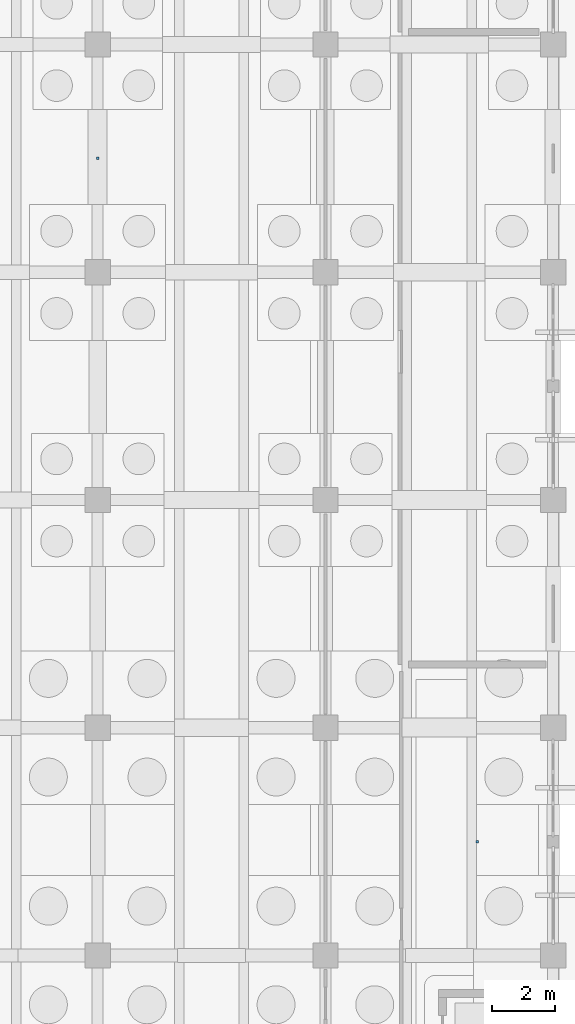
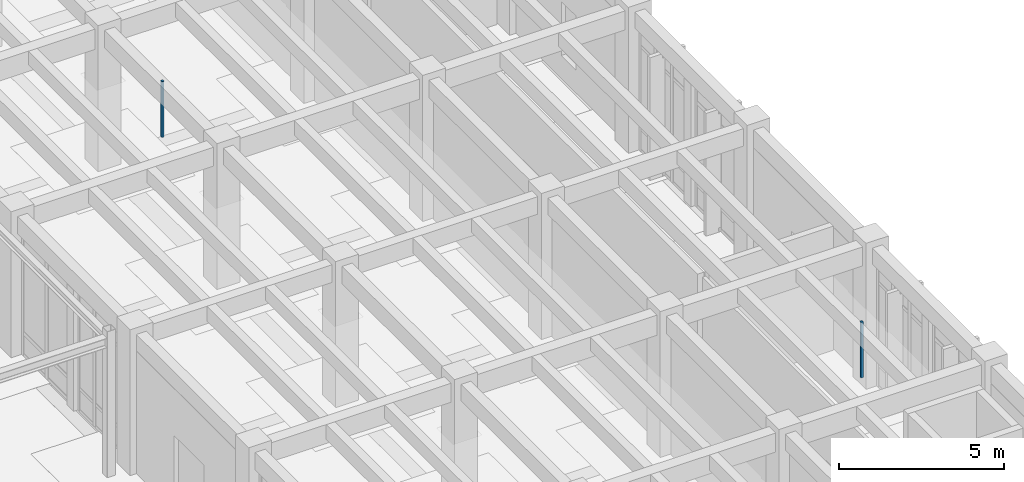
# One storey, part 78 of 93: 2 discrete accessories.
"""IFC4 building model written with IfcOpenShell, lengths in metres."""

from ifc_helpers import new_model, si_unit, direction, frame, origin, origin_2d, place, context, subcontext, project, spatial, rectangle, extrude, material, type_object, element, save


model = new_model("IFC4")

# Units and contexts
model_context = context("Model", 3, precision=1e-05, world=origin(), true_north=direction((0.0, 1.0)))
body_context = subcontext(model_context, "Body", "Model", "MODEL_VIEW")
ifc_project = project(units=[si_unit("LENGTHUNIT", "METRE"), si_unit("AREAUNIT", "SQUARE_METRE"), si_unit("VOLUMEUNIT", "CUBIC_METRE"), si_unit("PLANEANGLEUNIT", "RADIAN"), si_unit("MASSUNIT", "GRAM", prefix="KILO")], contexts=[model_context])

# Site, building, storey
site_placement = place(None, origin())
site = spatial("IfcSite", under=ifc_project, at=site_placement, CompositionType="ELEMENT")
building_placement = place(site_placement, origin())
building = spatial("IfcBuilding", under=site, at=building_placement, Name="Koriwan Promenade Central Fire Station", CompositionType="ELEMENT")
storey_placement = place(building_placement, origin())
storey = spatial("IfcBuildingStorey", under=building, at=storey_placement, Name="L00", CompositionType="ELEMENT", Elevation=0.0)

# Discrete accessories
ifc_material = material(Name="Steel ASTM A572 Grade 50", Category="steel")
discrete_accessory_type = type_object("IfcDiscreteAccessoryType", Name="CeilingHanger_Bracket", PredefinedType="BRACKET", material=ifc_material)
for number, where, z_axis, x_axis, name in (
    (1, (170.39990234375, 32.39990234375, 3.0947265625), (0.0, 0.0, 1.0), (1.0, 0.0, 0.0), "Logistics and Quartermaster Office acoustic ceiling seismic hanger"),
    (2, (158.39990234375, 54.0, 3.0947265625), (0.0, 0.0, 1.0), (1.0, 0.0, 0.0), "Hydrant Mapping and Engineering Office acoustic ceiling seismic hanger"),
):
    element("IfcDiscreteAccessory", number, at=place(storey_placement, frame(where, z_axis=z_axis, x_axis=x_axis)), inside=storey, type_object=discrete_accessory_type, Name=name, PredefinedType="BRACKET", context=body_context, shape_type="SweptSolid", body=[
        extrude(rectangle(XDim=0.080078125, YDim=0.080078125, at=origin_2d()), origin(), (0.0, 0.0, 1.0), 2.070068359375),
    ])

save(model, "model.ifc")
